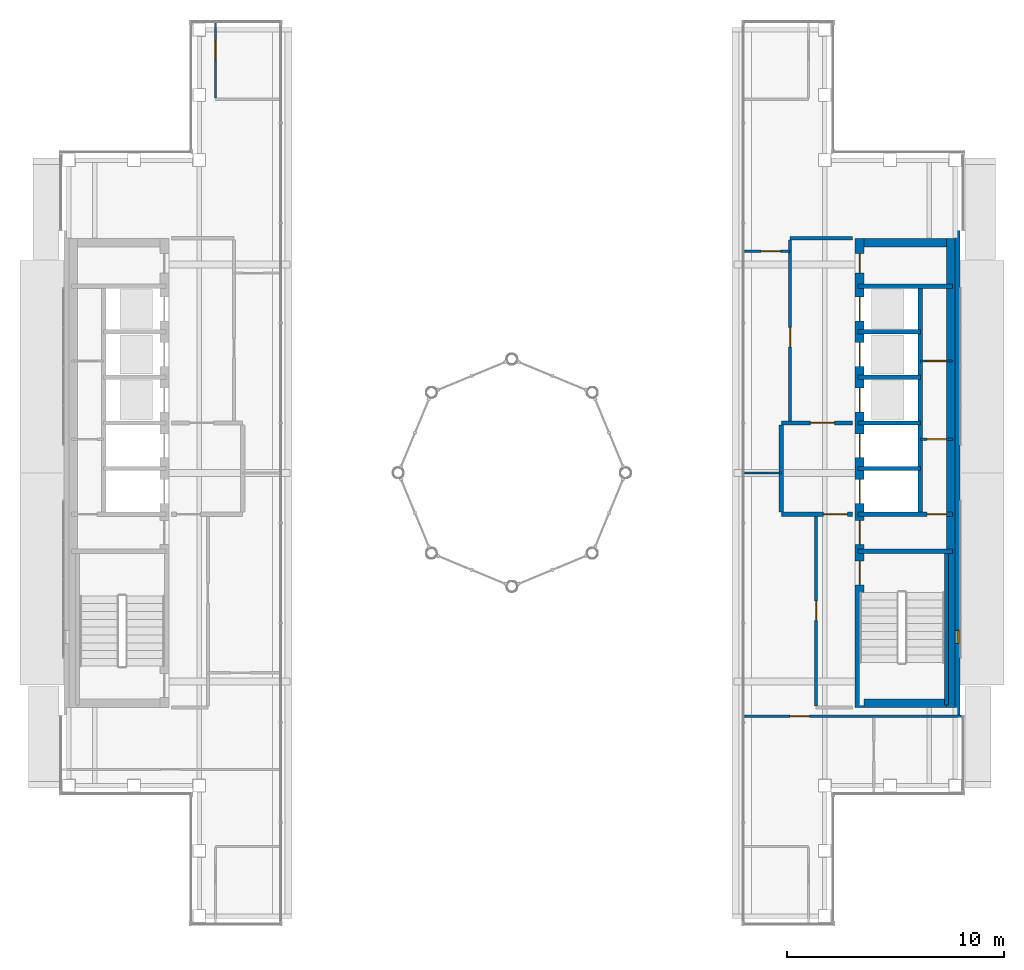
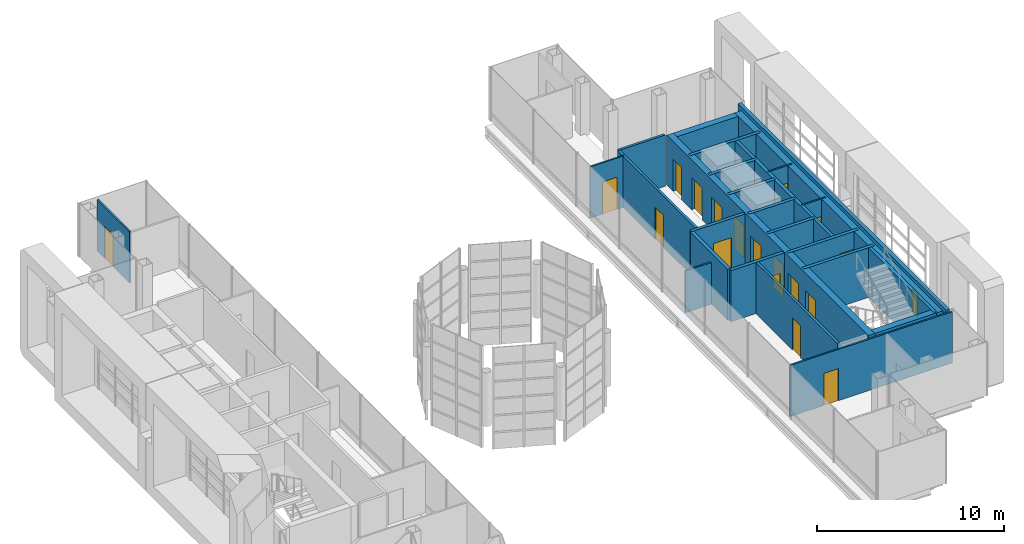
# One storey, part 14 of 21: 26 walls, 18 doors, 1 window, 19 openings.
"""IFC4 building model written with IfcOpenShell, lengths in metres."""

import ifcopenshell
import ifcopenshell.guid

model = None  # the IFC model being written
_history = None  # IfcOwnerHistory: only IFC2X3 demands one
_inside = {}  # id of a spatial element -> (the spatial element, [elements in it])
_under = {}  # id of a project, library or spatial element -> (it, [spatial elements below it])
_declared = {}  # id of a project -> (the project, [libraries it declares])
_typed = {}  # id of a type object -> (the type object, [elements of that type])
_made_of = {}  # id of a material, layer set ... -> (it, [elements and type objects made of it])


def new_model(schema):
    """Start an empty IFC model of exactly this schema.

    Asked for "IFC4X3", IfcOpenShell would pick the latest addendum, in which some entities
    have other attributes; the version numbers below select the first issue.
    IFC2X3 requires an IfcOwnerHistory on every rooted entity: one is made here for all.
    """
    global model, _history
    if schema == "IFC4X3":
        model = ifcopenshell.file(schema_version=(4, 3, 0, 0))
    else:
        model = ifcopenshell.file(schema=schema)
    _inside.clear()
    _under.clear()
    _declared.clear()
    _typed.clear()
    _made_of.clear()
    _history = None
    if model.schema == "IFC2X3":
        org = make("IfcOrganization", Name="unknown")
        user = make(
            "IfcPersonAndOrganization",
            ThePerson=make("IfcPerson", FamilyName="unknown"),
            TheOrganization=org,
        )
        app = make(
            "IfcApplication",
            ApplicationDeveloper=org,
            Version="unknown",
            ApplicationFullName="unknown",
            ApplicationIdentifier="unknown",
        )
        _history = make(
            "IfcOwnerHistory",
            OwningUser=user,
            OwningApplication=app,
            ChangeAction="ADDED",
            CreationDate=0,
        )
    return model


def make(cls, **values):
    """One entity of the class cls with the attributes given. An attribute that is None is left unset."""
    return model.create_entity(
        cls, **{name: value for name, value in values.items() if value is not None}
    )


def rooted(cls, **values):
    """An entity with a GlobalId (a new one), such as an element, a storey or a relation."""
    return make(cls, GlobalId=ifcopenshell.guid.new(), OwnerHistory=_history, **values)


def si_unit(unit_type, name, prefix=None):
    """IfcSIUnit, for example si_unit("LENGTHUNIT", "METRE", prefix="MILLI")."""
    return make("IfcSIUnit", UnitType=unit_type, Prefix=prefix, Name=name)


def assignment(units):
    """IfcUnitAssignment: the units of a project."""
    return None if units is None else make("IfcUnitAssignment", Units=units)


def point(xyz):
    """IfcCartesianPoint."""
    return None if xyz is None else make("IfcCartesianPoint", Coordinates=xyz)


def direction(xyz):
    """IfcDirection."""
    return None if xyz is None else make("IfcDirection", DirectionRatios=xyz)


def frame(location, z_axis=None, x_axis=None):
    """IfcAxis2Placement3D, a coordinate frame: its origin and axes. An axis left out is left unset."""
    return make(
        "IfcAxis2Placement3D",
        Location=point(location),
        Axis=direction(z_axis),
        RefDirection=direction(x_axis),
    )


def frame_2d(location, x_axis=None):
    """IfcAxis2Placement2D, a coordinate frame in the plane: its origin and x axis."""
    return make(
        "IfcAxis2Placement2D", Location=point(location), RefDirection=direction(x_axis)
    )


def origin():
    """The frame at (0, 0, 0) with its axes left unset."""
    return frame((0.0, 0.0, 0.0))


def place(relative_to, where):
    """IfcLocalPlacement: puts the frame where relative to a parent placement (None: the world)."""
    return make(
        "IfcLocalPlacement", PlacementRelTo=relative_to, RelativePlacement=where
    )


def context(
    kind, dimensions, precision=None, world=None, true_north=None, identifier=None
):
    """IfcGeometricRepresentationContext, for example the 3D "Model" context."""
    return make(
        "IfcGeometricRepresentationContext",
        ContextIdentifier=identifier,
        ContextType=kind,
        CoordinateSpaceDimension=dimensions,
        Precision=precision,
        WorldCoordinateSystem=world,
        TrueNorth=true_north,
    )


def subcontext(parent, identifier, kind, view, scale=None):
    """IfcGeometricRepresentationSubContext, for example "Body" below "Model"."""
    return make(
        "IfcGeometricRepresentationSubContext",
        ContextIdentifier=identifier,
        ContextType=kind,
        ParentContext=parent,
        TargetScale=scale,
        TargetView=view,
    )


def project(units=None, contexts=None):
    """IfcProject with its units and contexts."""
    return rooted(
        "IfcProject",
        Name="project",
        RepresentationContexts=contexts,
        UnitsInContext=assignment(units),
    )


def spatial(cls, under=None, at=None, **own):
    """A site, building, storey or space (cls), placed at a placement, below another one or the project."""
    s = rooted(cls, ObjectPlacement=at, **own)
    if under is not None:
        _under.setdefault(under.id(), (under, []))[1].append(s)
    return s


def profile(cls, at=None, kind="AREA", **sizes):
    """A parametric profile (cls). Its sizes go by their IFC names, for example OverallWidth=200.0."""
    return make(cls, ProfileType=kind, Position=at, **sizes)


def rectangle(**sizes):
    """IfcRectangleProfileDef."""
    return profile("IfcRectangleProfileDef", **sizes)


def extrude(swept, where, along, depth):
    """IfcExtrudedAreaSolid: the profile swept, set in the frame where, extruded along a direction by depth."""
    return make(
        "IfcExtrudedAreaSolid",
        SweptArea=swept,
        Position=where,
        ExtrudedDirection=direction(along),
        Depth=depth,
    )


def shape(context_of_items, identifier, shape_type, items):
    """IfcShapeRepresentation: the items that make up one representation, for example the "Body"."""
    return make(
        "IfcShapeRepresentation",
        ContextOfItems=context_of_items,
        RepresentationIdentifier=identifier,
        RepresentationType=shape_type,
        Items=items,
    )


def material(Name=None, Category=None):
    """IfcMaterial."""
    return make("IfcMaterial", Name=Name, Category=Category)


def layer(
    of_material, thickness, ventilated=None, Name=None, Category=None, Priority=None
):
    """IfcMaterialLayer: one layer of a wall or slab, of a material (None: an air gap)."""
    return make(
        "IfcMaterialLayer",
        Material=of_material,
        LayerThickness=thickness,
        IsVentilated=ventilated,
        Name=Name,
        Category=Category,
        Priority=Priority,
    )


def layer_set(layers, Name=None):
    """IfcMaterialLayerSet."""
    return make("IfcMaterialLayerSet", MaterialLayers=layers, LayerSetName=Name)


def made_of(thing, what):
    """Note that an element or type object is made of a material, layer set ...; save() writes the relation."""
    if what is not None:
        _made_of.setdefault(what.id(), (what, []))[1].append(thing)
    return thing


def type_object(cls, material=None, **own):
    """A type object (cls), such as IfcWallType, which elements share."""
    return made_of(rooted(cls, **own), material)


def element(
    cls,
    number,
    at=None,
    inside=None,
    cuts=None,
    type_object=None,
    material=None,
    context=None,
    identifier="Body",
    shape_type=None,
    held_by="IfcProductDefinitionShape",
    body=None,
    shapes=None,
    **own,
):
    """One element of the class cls, such as IfcWall. Its Tag is "e" and its number.

    at: its placement. inside: the storey or other place that contains it. cuts: it is an
    opening in that element (IfcRelVoidsElement). A single representation is given by context,
    identifier, shape_type and body (its items); several are given by shapes. held_by: the class
    of the entity that holds the representations. save() writes the other relations.
    """
    e = rooted(cls, Tag="e%d" % number, ObjectPlacement=at, **own)
    if body is not None:
        shapes = [shape(context, identifier, shape_type, body)]
    if shapes is not None:
        e.Representation = make(held_by, Representations=shapes)
    if inside is not None:
        _inside.setdefault(inside.id(), (inside, []))[1].append(e)
    if cuts is not None:
        rooted(
            "IfcRelVoidsElement", RelatingBuildingElement=cuts, RelatedOpeningElement=e
        )
    if type_object is not None:
        _typed.setdefault(type_object.id(), (type_object, []))[1].append(e)
    return made_of(e, material)


def fill(opening, filler):
    """IfcRelFillsElement: the door or window that sits in an opening."""
    return rooted(
        "IfcRelFillsElement",
        RelatingOpeningElement=opening,
        RelatedBuildingElement=filler,
    )


def aggregate(whole, parts):
    """IfcRelAggregates: a whole, such as a stair, and the parts it consists of."""
    return rooted("IfcRelAggregates", RelatingObject=whole, RelatedObjects=parts)


def save(model, path):
    """Write the relations noted so far, then the file.

    IfcRelAggregates (storeys below a building ...), IfcRelContainedInSpatialStructure (elements
    in a storey), IfcRelDefinesByType, IfcRelAssociatesMaterial and IfcRelDeclares: one each for
    every whole, place, type object, material and project.
    """
    for whole, parts in _under.values():
        aggregate(whole, parts)
    for where, things in _inside.values():
        rooted(
            "IfcRelContainedInSpatialStructure",
            RelatedElements=things,
            RelatingStructure=where,
        )
    for kind, things in _typed.values():
        rooted("IfcRelDefinesByType", RelatedObjects=things, RelatingType=kind)
    for what, things in _made_of.values():
        rooted("IfcRelAssociatesMaterial", RelatedObjects=things, RelatingMaterial=what)
    for by, libraries in _declared.values():
        rooted("IfcRelDeclares", RelatingContext=by, RelatedDefinitions=libraries)
    model.write(path)


model = new_model("IFC4")

# Units and contexts
model_context = context("Model", 3, precision=1e-05, world=origin(), true_north=direction((0.0, 1.0)))
body_context = subcontext(model_context, "Body", "Model", "MODEL_VIEW")
ifc_project = project(units=[si_unit("LENGTHUNIT", "METRE"), si_unit("AREAUNIT", "SQUARE_METRE"), si_unit("VOLUMEUNIT", "CUBIC_METRE"), si_unit("PLANEANGLEUNIT", "RADIAN"), si_unit("MASSUNIT", "GRAM", prefix="KILO")], contexts=[model_context])

# Site, building, storey
site_placement = place(None, origin())
site = spatial("IfcSite", under=ifc_project, at=site_placement, CompositionType="ELEMENT")
building_placement = place(site_placement, origin())
building = spatial("IfcBuilding", under=site, at=building_placement, Name="Cobrizo Arcos Hotel Tower", CompositionType="ELEMENT")
storey_placement = place(building_placement, frame((0.0, 0.0, 283.0)))
storey = spatial("IfcBuildingStorey", under=building, at=storey_placement, Name="L75", CompositionType="ELEMENT", Elevation=283.0)

# Wall
ifc_material_1 = material(Name="Gypsum board partition")
ifc_layer_1 = layer(ifc_material_1, 0.14990234375)
ifc_layer_set_1 = layer_set([ifc_layer_1], Name="Corridor wall EI 60 150")
wall_type_1 = type_object("IfcWallType", Name="Corridor wall EI 60 150", PredefinedType="PARTITIONING", material=ifc_layer_set_1)
wall_1_placement = place(storey_placement, frame((12.800048828125, 10.800048828125, 0.0), z_axis=(0.0, 0.0, 1.0), x_axis=(1.0, 0.0, 0.0)))
element("IfcWall", 1, at=wall_1_placement, inside=storey, type_object=wall_type_1, Name="Partition 035", PredefinedType="PARTITIONING", context=body_context, shape_type="SweptSolid", body=[
    extrude(rectangle(XDim=2.8798828125, YDim=0.14990234375, at=frame_2d((1.43994140625, 0.0))), origin(), (0.0, 0.0, 1.0), 3.35009765625),
])

# Wall, opening, door
wall_2_placement = place(storey_placement, frame((12.800048828125, 2.39990234375, 0.0), z_axis=(0.0, 0.0, 1.0), x_axis=(0.0, 1.0, 0.0)))
wall_2 = element("IfcWall", 2, at=wall_2_placement, inside=storey, type_object=wall_type_1, Name="Partition 046", PredefinedType="PARTITIONING", context=body_context, shape_type="SweptSolid", body=[
    extrude(rectangle(XDim=8.3251953125, YDim=0.14990234375, at=frame_2d((4.16259765625, 0.0))), origin(), (0.0, 0.0, 1.0), 3.35009765625),
])
opening_1_placement = place(wall_2_placement, frame((3.39990234375, 0.0, 0.0)))
opening_1 = element("IfcOpeningElement", 3, at=opening_1_placement, cuts=wall_2, Name="Opening RD-07", PredefinedType="OPENING", context=body_context, shape_type="SweptSolid", body=[
    extrude(rectangle(XDim=0.89990234375, YDim=2.10009765625, at=frame_2d((0.449951171875, 1.050048828125))), frame((0.0, 0.0869140625, 0.0), z_axis=(0.0, -1.0, 0.0), x_axis=(1.0, 0.0, 0.0)), (0.0, 0.0, 1.0), 0.173828125),
])
ifc_material_2 = material(Name="Timber door leaf", Category="wood")
door_type_1 = type_object("IfcDoorType", Name="Room door FD30 900x2100", OperationType="SINGLE_SWING_LEFT", PredefinedType="DOOR", material=ifc_material_2)
door_1_placement = place(opening_1_placement, origin())
door_1 = element("IfcDoor", 4, at=door_1_placement, inside=storey, type_object=door_type_1, Name="Door RD-07", OperationType="SINGLE_SWING_RIGHT", OverallHeight=2.10009765625, OverallWidth=0.89990234375, PredefinedType="DOOR", context=body_context, shape_type="SweptSolid", body=[
    extrude(rectangle(XDim=0.89990234375, YDim=2.10009765625, at=frame_2d((0.449951171875, 1.050048828125))), frame((0.0, 0.02490234375, 0.0), z_axis=(0.0, -1.0, 0.0), x_axis=(1.0, 0.0, 0.0)), (0.0, 0.0, 1.0), 0.050048828125),
])
fill(opening_1, door_1)

wall_3_placement = place(storey_placement, frame((14.0, -10.72509765625, 0.0), z_axis=(0.0, 0.0, 1.0), x_axis=(0.0, 1.0, 0.0)))
wall_3 = element("IfcWall", 5, at=wall_3_placement, inside=storey, type_object=wall_type_1, Name="Partition 049", PredefinedType="PARTITIONING", context=body_context, shape_type="SweptSolid", body=[
    extrude(rectangle(XDim=8.72509765625, YDim=0.14990234375, at=frame_2d((4.362548828125, 0.0))), origin(), (0.0, 0.0, 1.0), 3.35009765625),
])
opening_2_placement = place(wall_3_placement, frame((3.925048828125, 0.0, 0.0)))
opening_2 = element("IfcOpeningElement", 6, at=opening_2_placement, cuts=wall_3, Name="Opening RD-09", PredefinedType="OPENING", context=body_context, shape_type="SweptSolid", body=[
    extrude(rectangle(XDim=0.89990234375, YDim=2.10009765625, at=frame_2d((0.449951171875, 1.050048828125))), frame((0.0, 0.0869140625, 0.0), z_axis=(0.0, -1.0, 0.0), x_axis=(1.0, 0.0, 0.0)), (0.0, 0.0, 1.0), 0.173828125),
])
door_2_placement = place(opening_2_placement, origin())
door_2 = element("IfcDoor", 7, at=door_2_placement, inside=storey, type_object=door_type_1, Name="Door RD-09", OperationType="SINGLE_SWING_RIGHT", OverallHeight=2.10009765625, OverallWidth=0.89990234375, PredefinedType="DOOR", context=body_context, shape_type="SweptSolid", body=[
    extrude(rectangle(XDim=0.89990234375, YDim=2.10009765625, at=frame_2d((0.449951171875, 1.050048828125))), frame((0.0, 0.02490234375, 0.0), z_axis=(0.0, -1.0, 0.0), x_axis=(1.0, 0.0, 0.0)), (0.0, 0.0, 1.0), 0.050048828125),
])
fill(opening_2, door_2)

# Wall, opening, window
ifc_material_3 = material(Name="Aluminium composite panel pale metal", Category="aluminium")
ifc_layer_2 = layer(ifc_material_3, 0.22509765625)
ifc_layer_set_2 = layer_set([ifc_layer_2], Name="EW-1 insulated panel wall 225")
wall_type_2 = type_object("IfcWallType", Name="EW-1 insulated panel wall 225", PredefinedType="SOLIDWALL", material=ifc_layer_set_2)
wall_4_placement = place(storey_placement, frame((20.512451171875, -11.14990234375, 0.0), z_axis=(0.0, 0.0, 1.0), x_axis=(0.0, 1.0, 0.0)))
wall_4 = element("IfcWall", 8, at=wall_4_placement, inside=storey, type_object=wall_type_2, Name="Core face wall L75 E", PredefinedType="SOLIDWALL", context=body_context, shape_type="SweptSolid", body=[
    extrude(rectangle(XDim=22.2998046875, YDim=0.22509765625, at=frame_2d((11.14990234375, 0.0))), origin(), (0.0, 0.0, 1.0), 3.5),
])
opening_3_placement = place(wall_4_placement, frame((3.300048828125, 0.0, 1.0)))
opening_3 = element("IfcOpeningElement", 9, at=opening_3_placement, cuts=wall_4, Name="Opening W-169", PredefinedType="OPENING", context=body_context, shape_type="SweptSolid", body=[
    extrude(rectangle(XDim=0.60009765625, YDim=1.5, at=frame_2d((0.300048828125, 0.75))), frame((0.0, 0.12451171875, 0.0), z_axis=(0.0, -1.0, 0.0), x_axis=(1.0, 0.0, 0.0)), (0.0, 0.0, 1.0), 0.2490234375),
])
ifc_material_4 = material(Name="Aluminium 6063-T6 and clear laminated glass", Category="aluminium")
window_type = type_object("IfcWindowType", Name="W-C1 core stair slot window 600x1500", PartitioningType="SINGLE_PANEL", PredefinedType="WINDOW", material=ifc_material_4)
window_placement = place(opening_3_placement, origin())
window = element("IfcWindow", 10, at=window_placement, inside=storey, type_object=window_type, Name="Core face wall L75 E window W-169", OverallHeight=1.5, OverallWidth=0.60009765625, PartitioningType="SINGLE_PANEL", PredefinedType="WINDOW", context=body_context, shape_type="SweptSolid", body=[
    extrude(rectangle(XDim=0.60009765625, YDim=1.5, at=frame_2d((0.300048828125, 0.75))), frame((0.0, -0.0224609375, 0.0), z_axis=(0.0, -1.0, 0.0), x_axis=(1.0, 0.0, 0.0)), (0.0, 0.0, 1.0), 0.06005859375),
])
fill(opening_3, window)

# Wall, opening, door
ifc_layer_3 = layer(ifc_material_1, 0.10009765625)
ifc_layer_set_3 = layer_set([ifc_layer_3], Name="Partition EI 30 100")
wall_type_3 = type_object("IfcWallType", Name="Partition EI 30 100", PredefinedType="PARTITIONING", material=ifc_layer_set_3)
wall_5_placement = place(storey_placement, frame((10.696044921875, -11.199951171875, 0.0), z_axis=(0.0, 0.0, 1.0), x_axis=(1.0, 0.0, 0.0)))
wall_5 = element("IfcWall", 11, at=wall_5_placement, inside=storey, type_object=wall_type_3, Name="Partition 004", PredefinedType="PARTITIONING", context=body_context, shape_type="SweptSolid", body=[
    extrude(rectangle(XDim=10.033935546875, YDim=0.10009765625, at=frame_2d((5.01708984375, 0.0))), origin(), (0.0, 0.0, 1.0), 3.35009765625),
])
opening_4_placement = place(wall_5_placement, frame((2.092041015625, 0.0, 0.0)))
opening_4 = element("IfcOpeningElement", 12, at=opening_4_placement, cuts=wall_5, Name="Opening RD-10", PredefinedType="OPENING", context=body_context, shape_type="SweptSolid", body=[
    extrude(rectangle(XDim=0.89990234375, YDim=2.10009765625, at=frame_2d((0.449951171875, 1.050048828125))), frame((0.0, 0.06201171875, 0.0), z_axis=(0.0, -1.0, 0.0), x_axis=(1.0, 0.0, 0.0)), (0.0, 0.0, 1.0), 0.1240234375),
])
door_3_placement = place(opening_4_placement, origin())
door_3 = element("IfcDoor", 13, at=door_3_placement, inside=storey, type_object=door_type_1, Name="Door RD-10", OperationType="SINGLE_SWING_LEFT", OverallHeight=2.10009765625, OverallWidth=0.89990234375, PredefinedType="DOOR", context=body_context, shape_type="SweptSolid", body=[
    extrude(rectangle(XDim=0.89990234375, YDim=2.10009765625, at=frame_2d((0.449951171875, 1.050048828125))), frame((0.0, 0.02490234375, 0.0), z_axis=(0.0, -1.0, 0.0), x_axis=(1.0, 0.0, 0.0)), (0.0, 0.0, 1.0), 0.050048828125),
])
fill(opening_4, door_3)

# Wall
wall_6_placement = place(storey_placement, frame((10.696044921875, 0.0, 0.0), z_axis=(0.0, 0.0, 1.0), x_axis=(1.0, 0.0, 0.0)))
element("IfcWall", 14, at=wall_6_placement, inside=storey, type_object=wall_type_3, Name="Partition 015", PredefinedType="PARTITIONING", context=body_context, shape_type="SweptSolid", body=[
    extrude(rectangle(XDim=1.703857421875, YDim=0.10009765625, at=frame_2d((0.85205078125, 0.0))), origin(), (0.0, 0.0, 1.0), 2.72802734375),
])

# Wall, opening, door
wall_7_placement = place(storey_placement, frame((18.800048828125, 1.550048828125, 0.0), z_axis=(0.0, 0.0, 1.0), x_axis=(1.0, 0.0, 0.0)))
wall_7 = element("IfcWall", 15, at=wall_7_placement, inside=storey, type_object=wall_type_3, Name="Partition 019", PredefinedType="PARTITIONING", context=body_context, shape_type="SweptSolid", body=[
    extrude(rectangle(XDim=1.47998046875, YDim=0.10009765625, at=frame_2d((0.739990234375, 0.0))), origin(), (0.0, 0.0, 1.0), 3.25),
])
opening_5_placement = place(wall_7_placement, frame((0.300048828125, 0.0, 0.0)))
opening_5 = element("IfcOpeningElement", 16, at=opening_5_placement, cuts=wall_7, Name="Opening RD-05", PredefinedType="OPENING", context=body_context, shape_type="SweptSolid", body=[
    extrude(rectangle(XDim=0.89990234375, YDim=2.10009765625, at=frame_2d((0.449951171875, 1.050048828125))), frame((0.0, 0.06201171875, 0.0), z_axis=(0.0, -1.0, 0.0), x_axis=(1.0, 0.0, 0.0)), (0.0, 0.0, 1.0), 0.1240234375),
])
door_4_placement = place(opening_5_placement, origin())
door_4 = element("IfcDoor", 17, at=door_4_placement, inside=storey, type_object=door_type_1, Name="Door RD-05", OperationType="SINGLE_SWING_RIGHT", OverallHeight=2.10009765625, OverallWidth=0.89990234375, PredefinedType="DOOR", context=body_context, shape_type="SweptSolid", body=[
    extrude(rectangle(XDim=0.89990234375, YDim=2.10009765625, at=frame_2d((0.449951171875, 1.050048828125))), frame((0.0, 0.02490234375, 0.0), z_axis=(0.0, -1.0, 0.0), x_axis=(1.0, 0.0, 0.0)), (0.0, 0.0, 1.0), 0.050048828125),
])
fill(opening_5, door_4)

wall_8_placement = place(storey_placement, frame((18.800048828125, 5.14990234375, 0.0), z_axis=(0.0, 0.0, 1.0), x_axis=(1.0, 0.0, 0.0)))
wall_8 = element("IfcWall", 18, at=wall_8_placement, inside=storey, type_object=wall_type_3, Name="Partition 027", PredefinedType="PARTITIONING", context=body_context, shape_type="SweptSolid", body=[
    extrude(rectangle(XDim=1.47998046875, YDim=0.10009765625, at=frame_2d((0.739990234375, 0.0))), origin(), (0.0, 0.0, 1.0), 3.25),
])
opening_6_placement = place(wall_8_placement, frame((0.300048828125, 0.0, 0.0)))
opening_6 = element("IfcOpeningElement", 19, at=opening_6_placement, cuts=wall_8, Name="Opening RD-06", PredefinedType="OPENING", context=body_context, shape_type="SweptSolid", body=[
    extrude(rectangle(XDim=0.89990234375, YDim=2.10009765625, at=frame_2d((0.449951171875, 1.050048828125))), frame((0.0, 0.06201171875, 0.0), z_axis=(0.0, -1.0, 0.0), x_axis=(1.0, 0.0, 0.0)), (0.0, 0.0, 1.0), 0.1240234375),
])
door_5_placement = place(opening_6_placement, origin())
door_5 = element("IfcDoor", 20, at=door_5_placement, inside=storey, type_object=door_type_1, Name="Door RD-06", OperationType="SINGLE_SWING_RIGHT", OverallHeight=2.10009765625, OverallWidth=0.89990234375, PredefinedType="DOOR", context=body_context, shape_type="SweptSolid", body=[
    extrude(rectangle(XDim=0.89990234375, YDim=2.10009765625, at=frame_2d((0.449951171875, 1.050048828125))), frame((0.0, 0.02490234375, 0.0), z_axis=(0.0, -1.0, 0.0), x_axis=(1.0, 0.0, 0.0)), (0.0, 0.0, 1.0), 0.050048828125),
])
fill(opening_6, door_5)

wall_9_placement = place(storey_placement, frame((10.696044921875, 10.199951171875, 0.0), z_axis=(0.0, 0.0, 1.0), x_axis=(1.0, 0.0, 0.0)))
wall_9 = element("IfcWall", 21, at=wall_9_placement, inside=storey, type_object=wall_type_3, Name="Partition 033", PredefinedType="PARTITIONING", context=body_context, shape_type="SweptSolid", body=[
    extrude(rectangle(XDim=2.10400390625, YDim=0.10009765625, at=frame_2d((1.052001953125, 0.0))), origin(), (0.0, 0.0, 1.0), 3.35009765625),
])
opening_7_placement = place(wall_9_placement, frame((0.76708984375, 0.0, 0.0)))
opening_7 = element("IfcOpeningElement", 22, at=opening_7_placement, cuts=wall_9, Name="Opening RD-08", PredefinedType="OPENING", context=body_context, shape_type="SweptSolid", body=[
    extrude(rectangle(XDim=0.89990234375, YDim=2.10009765625, at=frame_2d((0.449951171875, 1.050048828125))), frame((0.0, 0.06201171875, 0.0), z_axis=(0.0, -1.0, 0.0), x_axis=(1.0, 0.0, 0.0)), (0.0, 0.0, 1.0), 0.1240234375),
])
door_6_placement = place(opening_7_placement, origin())
door_6 = element("IfcDoor", 23, at=door_6_placement, inside=storey, type_object=door_type_1, Name="Door RD-08", OperationType="SINGLE_SWING_LEFT", OverallHeight=2.10009765625, OverallWidth=0.89990234375, PredefinedType="DOOR", context=body_context, shape_type="SweptSolid", body=[
    extrude(rectangle(XDim=0.89990234375, YDim=2.10009765625, at=frame_2d((0.449951171875, 1.050048828125))), frame((0.0, 0.02490234375, 0.0), z_axis=(0.0, -1.0, 0.0), x_axis=(1.0, 0.0, 0.0)), (0.0, 0.0, 1.0), 0.050048828125),
])
fill(opening_7, door_6)

wall_10_placement = place(storey_placement, frame((-13.64990234375, 17.25, 0.0), z_axis=(0.0, 0.0, 1.0), x_axis=(0.0, 1.0, 0.0)))
wall_10 = element("IfcWall", 24, at=wall_10_placement, inside=storey, type_object=wall_type_3, Name="Partition 042", PredefinedType="PARTITIONING", context=body_context, shape_type="SweptSolid", body=[
    extrude(rectangle(XDim=3.47998046875, YDim=0.10009765625, at=frame_2d((1.739990234375, 0.0))), origin(), (0.0, 0.0, 1.0), 3.35009765625),
])
opening_8_placement = place(wall_10_placement, frame((1.739990234375, 0.0, 0.0)))
opening_8 = element("IfcOpeningElement", 25, at=opening_8_placement, cuts=wall_10, Name="Opening ED-05", PredefinedType="OPENING", context=body_context, shape_type="SweptSolid", body=[
    extrude(rectangle(XDim=0.89990234375, YDim=2.10009765625, at=frame_2d((0.449951171875, 1.050048828125))), frame((0.0, 0.06201171875, 0.0), z_axis=(0.0, -1.0, 0.0), x_axis=(1.0, 0.0, 0.0)), (0.0, 0.0, 1.0), 0.1240234375),
])
door_type_2 = type_object("IfcDoorType", Name="En-suite door 900x2100", OperationType="SINGLE_SWING_LEFT", PredefinedType="DOOR", material=ifc_material_2)
door_7_placement = place(opening_8_placement, origin())
door_7 = element("IfcDoor", 26, at=door_7_placement, inside=storey, type_object=door_type_2, Name="Door ED-05", OperationType="SINGLE_SWING_RIGHT", OverallHeight=2.10009765625, OverallWidth=0.89990234375, PredefinedType="DOOR", context=body_context, shape_type="SweptSolid", body=[
    extrude(rectangle(XDim=0.89990234375, YDim=2.10009765625, at=frame_2d((0.449951171875, 1.050048828125))), frame((0.0, 0.02490234375, 0.0), z_axis=(0.0, -1.0, 0.0), x_axis=(1.0, 0.0, 0.0)), (0.0, 0.0, 1.0), 0.050048828125),
])
fill(opening_8, door_7)

# Wall, openings, doors
ifc_material_5 = material(Name="Concrete f'c 40 MPa", Category="concrete")
ifc_layer_4 = layer(ifc_material_5, 0.39990234375)
ifc_layer_set_4 = layer_set([ifc_layer_4], Name="RC core wall 400 f'c 40")
wall_type_4 = type_object("IfcWallType", Name="RC core wall 400 f'c 40", PredefinedType="SHEAR", material=ifc_layer_set_4)
wall_11_placement = place(storey_placement, frame((16.0, -10.800048828125, 0.0), z_axis=(0.0, 0.0, 1.0), x_axis=(0.0, 1.0, 0.0)))
wall_11 = element("IfcWall", 27, at=wall_11_placement, inside=storey, type_object=wall_type_4, Name="Core wall CW4, east core, inner face, L75", PredefinedType="SHEAR", context=body_context, shape_type="SweptSolid", body=[
    extrude(rectangle(XDim=21.60009765625, YDim=0.39990234375, at=frame_2d((10.800048828125, 0.0))), origin(), (0.0, 0.0, 1.0), 3.25),
])
opening_9_placement = place(wall_11_placement, frame((9.39990234375, 0.0, 0.0)))
opening_9 = element("IfcOpeningElement", 28, at=opening_9_placement, cuts=wall_11, Name="Opening LD-06", PredefinedType="OPENING", context=body_context, shape_type="SweptSolid", body=[
    extrude(rectangle(XDim=1.10009765625, YDim=2.10009765625, at=frame_2d((0.550048828125, 1.050048828125))), frame((0.0, 0.2119140625, 0.0), z_axis=(0.0, -1.0, 0.0), x_axis=(1.0, 0.0, 0.0)), (0.0, 0.0, 1.0), 0.423828125),
])
opening_10_placement = place(wall_11_placement, frame((11.5, 0.0, 0.0)))
opening_10 = element("IfcOpeningElement", 29, at=opening_10_placement, cuts=wall_11, Name="Opening LD-07", PredefinedType="OPENING", context=body_context, shape_type="SweptSolid", body=[
    extrude(rectangle(XDim=1.10009765625, YDim=2.10009765625, at=frame_2d((0.550048828125, 1.050048828125))), frame((0.0, 0.2119140625, 0.0), z_axis=(0.0, -1.0, 0.0), x_axis=(1.0, 0.0, 0.0)), (0.0, 0.0, 1.0), 0.423828125),
])
opening_11_placement = place(wall_11_placement, frame((13.60009765625, 0.0, 0.0)))
opening_11 = element("IfcOpeningElement", 30, at=opening_11_placement, cuts=wall_11, Name="Opening LD-08", PredefinedType="OPENING", context=body_context, shape_type="SweptSolid", body=[
    extrude(rectangle(XDim=1.10009765625, YDim=2.10009765625, at=frame_2d((0.550048828125, 1.050048828125))), frame((0.0, 0.2119140625, 0.0), z_axis=(0.0, -1.0, 0.0), x_axis=(1.0, 0.0, 0.0)), (0.0, 0.0, 1.0), 0.423828125),
])
opening_12_placement = place(wall_11_placement, frame((15.699951171875, 0.0, 0.0)))
opening_12 = element("IfcOpeningElement", 31, at=opening_12_placement, cuts=wall_11, Name="Opening LD-09", PredefinedType="OPENING", context=body_context, shape_type="SweptSolid", body=[
    extrude(rectangle(XDim=1.10009765625, YDim=2.10009765625, at=frame_2d((0.550048828125, 1.050048828125))), frame((0.0, 0.2119140625, 0.0), z_axis=(0.0, -1.0, 0.0), x_axis=(1.0, 0.0, 0.0)), (0.0, 0.0, 1.0), 0.423828125),
])
opening_13_placement = place(wall_11_placement, frame((17.800048828125, 0.0, 0.0)))
opening_13 = element("IfcOpeningElement", 32, at=opening_13_placement, cuts=wall_11, Name="Opening LD-10", PredefinedType="OPENING", context=body_context, shape_type="SweptSolid", body=[
    extrude(rectangle(XDim=1.10009765625, YDim=2.10009765625, at=frame_2d((0.550048828125, 1.050048828125))), frame((0.0, 0.2119140625, 0.0), z_axis=(0.0, -1.0, 0.0), x_axis=(1.0, 0.0, 0.0)), (0.0, 0.0, 1.0), 0.423828125),
])
opening_14_placement = place(wall_11_placement, frame((5.64208984375, 0.0, 0.0)))
opening_14 = element("IfcOpeningElement", 33, at=opening_14_placement, cuts=wall_11, Name="Opening SD-02", PredefinedType="OPENING", context=body_context, shape_type="SweptSolid", body=[
    extrude(rectangle(XDim=1.10009765625, YDim=2.10009765625, at=frame_2d((0.550048828125, 1.050048828125))), frame((0.0, 0.2119140625, 0.0), z_axis=(0.0, -1.0, 0.0), x_axis=(1.0, 0.0, 0.0)), (0.0, 0.0, 1.0), 0.423828125),
])
opening_15_placement = place(wall_11_placement, frame((7.5, 0.0, 0.0)))
opening_15 = element("IfcOpeningElement", 34, at=opening_15_placement, cuts=wall_11, Name="Opening FD-04", PredefinedType="OPENING", context=body_context, shape_type="SweptSolid", body=[
    extrude(rectangle(XDim=1.10009765625, YDim=2.10009765625, at=frame_2d((0.550048828125, 1.050048828125))), frame((0.0, 0.2119140625, 0.0), z_axis=(0.0, -1.0, 0.0), x_axis=(1.0, 0.0, 0.0)), (0.0, 0.0, 1.0), 0.423828125),
])
opening_16_placement = place(wall_11_placement, frame((20.0, 0.0, 0.0)))
opening_16 = element("IfcOpeningElement", 35, at=opening_16_placement, cuts=wall_11, Name="Opening ED-02", PredefinedType="OPENING", context=body_context, shape_type="SweptSolid", body=[
    extrude(rectangle(XDim=0.89990234375, YDim=2.10009765625, at=frame_2d((0.449951171875, 1.050048828125))), frame((0.0, 0.2119140625, 0.0), z_axis=(0.0, -1.0, 0.0), x_axis=(1.0, 0.0, 0.0)), (0.0, 0.0, 1.0), 0.423828125),
])
door_8_placement = place(opening_16_placement, origin())
door_8 = element("IfcDoor", 36, at=door_8_placement, inside=storey, type_object=door_type_2, Name="Door ED-02", OperationType="SINGLE_SWING_LEFT", OverallHeight=2.10009765625, OverallWidth=0.89990234375, PredefinedType="DOOR", context=body_context, shape_type="SweptSolid", body=[
    extrude(rectangle(XDim=0.89990234375, YDim=2.10009765625, at=frame_2d((0.449951171875, 1.050048828125))), frame((0.0, 0.02490234375, 0.0), z_axis=(0.0, -1.0, 0.0), x_axis=(1.0, 0.0, 0.0)), (0.0, 0.0, 1.0), 0.050048828125),
])
fill(opening_16, door_8)
ifc_material_6 = material(Name="Steel door leaf", Category="steel")
door_type_3 = type_object("IfcDoorType", Name="Fire door FD60 1100x2100", OperationType="SINGLE_SWING_LEFT", PredefinedType="DOOR", material=ifc_material_6)
door_9_placement = place(opening_15_placement, origin())
door_9 = element("IfcDoor", 37, at=door_9_placement, inside=storey, type_object=door_type_3, Name="Door FD-04", OperationType="SINGLE_SWING_LEFT", OverallHeight=2.10009765625, OverallWidth=1.10009765625, PredefinedType="DOOR", context=body_context, shape_type="SweptSolid", body=[
    extrude(rectangle(XDim=1.10009765625, YDim=2.10009765625, at=frame_2d((0.550048828125, 1.050048828125))), frame((0.0, 0.02490234375, 0.0), z_axis=(0.0, -1.0, 0.0), x_axis=(1.0, 0.0, 0.0)), (0.0, 0.0, 1.0), 0.050048828125),
])
fill(opening_15, door_9)
door_type_4 = type_object("IfcDoorType", Name="Lift landing door 1100x2100", OperationType="SLIDING_TO_LEFT", PredefinedType="DOOR", material=ifc_material_6)
door_10_placement = place(opening_9_placement, origin())
door_10 = element("IfcDoor", 38, at=door_10_placement, inside=storey, type_object=door_type_4, Name="Lift landing door LD-06", OperationType="SLIDING_TO_LEFT", OverallHeight=2.10009765625, OverallWidth=1.10009765625, PredefinedType="DOOR", context=body_context, shape_type="SweptSolid", body=[
    extrude(rectangle(XDim=1.10009765625, YDim=2.10009765625, at=frame_2d((0.550048828125, 1.050048828125))), frame((0.0, 0.02490234375, 0.0), z_axis=(0.0, -1.0, 0.0), x_axis=(1.0, 0.0, 0.0)), (0.0, 0.0, 1.0), 0.050048828125),
])
fill(opening_9, door_10)
door_11_placement = place(opening_10_placement, origin())
door_11 = element("IfcDoor", 39, at=door_11_placement, inside=storey, type_object=door_type_4, Name="Lift landing door LD-07", OperationType="SLIDING_TO_LEFT", OverallHeight=2.10009765625, OverallWidth=1.10009765625, PredefinedType="DOOR", context=body_context, shape_type="SweptSolid", body=[
    extrude(rectangle(XDim=1.10009765625, YDim=2.10009765625, at=frame_2d((0.550048828125, 1.050048828125))), frame((0.0, 0.02490234375, 0.0), z_axis=(0.0, -1.0, 0.0), x_axis=(1.0, 0.0, 0.0)), (0.0, 0.0, 1.0), 0.050048828125),
])
fill(opening_10, door_11)
door_12_placement = place(opening_11_placement, origin())
door_12 = element("IfcDoor", 40, at=door_12_placement, inside=storey, type_object=door_type_4, Name="Lift landing door LD-08", OperationType="SLIDING_TO_LEFT", OverallHeight=2.10009765625, OverallWidth=1.10009765625, PredefinedType="DOOR", context=body_context, shape_type="SweptSolid", body=[
    extrude(rectangle(XDim=1.10009765625, YDim=2.10009765625, at=frame_2d((0.550048828125, 1.050048828125))), frame((0.0, 0.02490234375, 0.0), z_axis=(0.0, -1.0, 0.0), x_axis=(1.0, 0.0, 0.0)), (0.0, 0.0, 1.0), 0.050048828125),
])
fill(opening_11, door_12)
door_13_placement = place(opening_12_placement, origin())
door_13 = element("IfcDoor", 41, at=door_13_placement, inside=storey, type_object=door_type_4, Name="Lift landing door LD-09", OperationType="SLIDING_TO_LEFT", OverallHeight=2.10009765625, OverallWidth=1.10009765625, PredefinedType="DOOR", context=body_context, shape_type="SweptSolid", body=[
    extrude(rectangle(XDim=1.10009765625, YDim=2.10009765625, at=frame_2d((0.550048828125, 1.050048828125))), frame((0.0, 0.02490234375, 0.0), z_axis=(0.0, -1.0, 0.0), x_axis=(1.0, 0.0, 0.0)), (0.0, 0.0, 1.0), 0.050048828125),
])
fill(opening_12, door_13)
door_14_placement = place(opening_13_placement, origin())
door_14 = element("IfcDoor", 42, at=door_14_placement, inside=storey, type_object=door_type_4, Name="Lift landing door LD-10", OperationType="SLIDING_TO_LEFT", OverallHeight=2.10009765625, OverallWidth=1.10009765625, PredefinedType="DOOR", context=body_context, shape_type="SweptSolid", body=[
    extrude(rectangle(XDim=1.10009765625, YDim=2.10009765625, at=frame_2d((0.550048828125, 1.050048828125))), frame((0.0, 0.02490234375, 0.0), z_axis=(0.0, -1.0, 0.0), x_axis=(1.0, 0.0, 0.0)), (0.0, 0.0, 1.0), 0.050048828125),
])
fill(opening_13, door_14)
door_type_5 = type_object("IfcDoorType", Name="Stair door FD60S 1100x2100", OperationType="SINGLE_SWING_LEFT", PredefinedType="DOOR", material=ifc_material_6)
door_15_placement = place(opening_14_placement, origin())
door_15 = element("IfcDoor", 43, at=door_15_placement, inside=storey, type_object=door_type_5, Name="Door SD-02", OperationType="SINGLE_SWING_LEFT", OverallHeight=2.10009765625, OverallWidth=1.10009765625, PredefinedType="DOOR", context=body_context, shape_type="SweptSolid", body=[
    extrude(rectangle(XDim=1.10009765625, YDim=2.10009765625, at=frame_2d((0.550048828125, 1.050048828125))), frame((0.0, 0.02490234375, 0.0), z_axis=(0.0, -1.0, 0.0), x_axis=(1.0, 0.0, 0.0)), (0.0, 0.0, 1.0), 0.050048828125),
])
fill(opening_14, door_15)

# Walls
wall_12_placement = place(storey_placement, frame((20.199951171875, -10.800048828125, 0.0), z_axis=(0.0, 0.0, 1.0), x_axis=(0.0, 1.0, 0.0)))
element("IfcWall", 44, at=wall_12_placement, inside=storey, type_object=wall_type_4, Name="Core wall CW4, east core, outer face, L75", PredefinedType="SHEAR", context=body_context, shape_type="SweptSolid", body=[
    extrude(rectangle(XDim=21.60009765625, YDim=0.39990234375, at=frame_2d((10.800048828125, 0.0))), origin(), (0.0, 0.0, 1.0), 3.25),
])
for number, where, z_axis, x_axis, name in (
    (45, (16.199951171875, 10.60009765625, 0.0), (0.0, 0.0, 1.0), (1.0, 0.0, 0.0), "Core wall CW4, east core, north end, L75"),
    (46, (16.199951171875, -10.60009765625, 0.0), (0.0, 0.0, 1.0), (1.0, 0.0, 0.0), "Core wall CW4, east core, south end, L75"),
):
    element("IfcWall", number, at=place(storey_placement, frame(where, z_axis=z_axis, x_axis=x_axis)), inside=storey, type_object=wall_type_4, Name=name, PredefinedType="SHEAR", context=body_context, shape_type="SweptSolid", body=[
        extrude(rectangle(XDim=3.800048828125, YDim=0.39990234375, at=frame_2d((1.89990234375, 0.0))), origin(), (0.0, 0.0, 1.0), 3.25),
    ])

# Wall, opening, door
ifc_layer_5 = layer(ifc_material_1, 0.199951171875)
ifc_layer_set_5 = layer_set([ifc_layer_5], Name="Shaft wall EI 120 200")
wall_type_5 = type_object("IfcWallType", Name="Shaft wall EI 120 200", PredefinedType="PARTITIONING", material=ifc_layer_set_5)
wall_13_placement = place(storey_placement, frame((12.39990234375, -1.89990234375, 0.0), z_axis=(0.0, 0.0, 1.0), x_axis=(1.0, 0.0, 0.0)))
wall_13 = element("IfcWall", 47, at=wall_13_placement, inside=storey, type_object=wall_type_5, Name="Partition 012", PredefinedType="PARTITIONING", context=body_context, shape_type="SweptSolid", body=[
    extrude(rectangle(XDim=3.280029296875, YDim=0.199951171875, at=frame_2d((1.64013671875, 0.0))), origin(), (0.0, 0.0, 1.0), 3.35009765625),
])
opening_17_placement = place(wall_13_placement, frame((1.93994140625, 0.0, 0.0)))
opening_17 = element("IfcOpeningElement", 48, at=opening_17_placement, cuts=wall_13, Name="Opening FD-06", PredefinedType="OPENING", context=body_context, shape_type="SweptSolid", body=[
    extrude(rectangle(XDim=1.10009765625, YDim=2.10009765625, at=frame_2d((0.550048828125, 1.050048828125))), frame((0.0, 0.112060546875, 0.0), z_axis=(0.0, -1.0, 0.0), x_axis=(1.0, 0.0, 0.0)), (0.0, 0.0, 1.0), 0.223876953125),
])
door_16_placement = place(opening_17_placement, origin())
door_16 = element("IfcDoor", 49, at=door_16_placement, inside=storey, type_object=door_type_3, Name="Door FD-06", OperationType="SINGLE_SWING_RIGHT", OverallHeight=2.10009765625, OverallWidth=1.10009765625, PredefinedType="DOOR", context=body_context, shape_type="SweptSolid", body=[
    extrude(rectangle(XDim=1.10009765625, YDim=2.10009765625, at=frame_2d((0.550048828125, 1.050048828125))), frame((0.0, 0.02490234375, 0.0), z_axis=(0.0, -1.0, 0.0), x_axis=(1.0, 0.0, 0.0)), (0.0, 0.0, 1.0), 0.050048828125),
])
fill(opening_17, door_16)

wall_14_placement = place(storey_placement, frame((15.919921875, -1.89990234375, 0.0), z_axis=(0.0, 0.0, 1.0), x_axis=(1.0, 0.0, 0.0)))
wall_14 = element("IfcWall", 50, at=wall_14_placement, inside=storey, type_object=wall_type_5, Name="Partition 013", PredefinedType="PARTITIONING", context=body_context, shape_type="SweptSolid", body=[
    extrude(rectangle(XDim=4.360107421875, YDim=0.199951171875, at=frame_2d((2.18017578125, 0.0))), origin(), (0.0, 0.0, 1.0), 3.25),
])
opening_18_placement = place(wall_14_placement, frame((3.179931640625, 0.0, 0.0)))
opening_18 = element("IfcOpeningElement", 51, at=opening_18_placement, cuts=wall_14, Name="Opening RD-04", PredefinedType="OPENING", context=body_context, shape_type="SweptSolid", body=[
    extrude(rectangle(XDim=0.89990234375, YDim=2.10009765625, at=frame_2d((0.449951171875, 1.050048828125))), frame((0.0, 0.112060546875, 0.0), z_axis=(0.0, -1.0, 0.0), x_axis=(1.0, 0.0, 0.0)), (0.0, 0.0, 1.0), 0.223876953125),
])
door_17_placement = place(opening_18_placement, origin())
door_17 = element("IfcDoor", 52, at=door_17_placement, inside=storey, type_object=door_type_1, Name="Door RD-04", OperationType="SINGLE_SWING_LEFT", OverallHeight=2.10009765625, OverallWidth=0.89990234375, PredefinedType="DOOR", context=body_context, shape_type="SweptSolid", body=[
    extrude(rectangle(XDim=0.89990234375, YDim=2.10009765625, at=frame_2d((0.449951171875, 1.050048828125))), frame((0.0, 0.02490234375, 0.0), z_axis=(0.0, -1.0, 0.0), x_axis=(1.0, 0.0, 0.0)), (0.0, 0.0, 1.0), 0.050048828125),
])
fill(opening_18, door_17)

# Wall
wall_15_placement = place(storey_placement, frame((15.919921875, 0.199951171875, 0.0), z_axis=(0.0, 0.0, 1.0), x_axis=(1.0, 0.0, 0.0)))
element("IfcWall", 53, at=wall_15_placement, inside=storey, type_object=wall_type_5, Name="Partition 017", PredefinedType="PARTITIONING", context=body_context, shape_type="SweptSolid", body=[
    extrude(rectangle(XDim=2.880126953125, YDim=0.199951171875, at=frame_2d((1.43994140625, 0.0))), origin(), (0.0, 0.0, 1.0), 3.25),
])

# Wall, opening, door
wall_16_placement = place(storey_placement, frame((12.39990234375, 2.300048828125, 0.0), z_axis=(0.0, 0.0, 1.0), x_axis=(1.0, 0.0, 0.0)))
wall_16 = element("IfcWall", 54, at=wall_16_placement, inside=storey, type_object=wall_type_5, Name="Partition 022", PredefinedType="PARTITIONING", context=body_context, shape_type="SweptSolid", body=[
    extrude(rectangle(XDim=3.280029296875, YDim=0.199951171875, at=frame_2d((1.64013671875, 0.0))), origin(), (0.0, 0.0, 1.0), 3.35009765625),
])
opening_19_placement = place(wall_16_placement, frame((1.340087890625, 0.0, 0.0)))
opening_19 = element("IfcOpeningElement", 55, at=opening_19_placement, cuts=wall_16, Name="Opening FD-05", PredefinedType="OPENING", context=body_context, shape_type="SweptSolid", body=[
    extrude(rectangle(XDim=1.10009765625, YDim=2.10009765625, at=frame_2d((0.550048828125, 1.050048828125))), frame((0.0, 0.112060546875, 0.0), z_axis=(0.0, -1.0, 0.0), x_axis=(1.0, 0.0, 0.0)), (0.0, 0.0, 1.0), 0.223876953125),
])
door_18_placement = place(opening_19_placement, origin())
door_18 = element("IfcDoor", 56, at=door_18_placement, inside=storey, type_object=door_type_3, Name="Door FD-05", OperationType="SINGLE_SWING_RIGHT", OverallHeight=2.10009765625, OverallWidth=1.10009765625, PredefinedType="DOOR", context=body_context, shape_type="SweptSolid", body=[
    extrude(rectangle(XDim=1.10009765625, YDim=2.10009765625, at=frame_2d((0.550048828125, 1.050048828125))), frame((0.0, 0.02490234375, 0.0), z_axis=(0.0, -1.0, 0.0), x_axis=(1.0, 0.0, 0.0)), (0.0, 0.0, 1.0), 0.050048828125),
])
fill(opening_19, door_18)

# Walls
for number, where, z_axis, x_axis, name in (
    (57, (15.919921875, 2.300048828125, 0.0), (0.0, 0.0, 1.0), (1.0, 0.0, 0.0), "Partition 023"),
    (58, (15.919921875, 4.39990234375, 0.0), (0.0, 0.0, 1.0), (1.0, 0.0, 0.0), "Partition 025"),
    (59, (15.919921875, 6.5, 0.0), (0.0, 0.0, 1.0), (1.0, 0.0, 0.0), "Partition 029"),
):
    element("IfcWall", number, at=place(storey_placement, frame(where, z_axis=z_axis, x_axis=x_axis)), inside=storey, type_object=wall_type_5, Name=name, PredefinedType="PARTITIONING", context=body_context, shape_type="SweptSolid", body=[
        extrude(rectangle(XDim=2.880126953125, YDim=0.199951171875, at=frame_2d((1.43994140625, 0.0))), origin(), (0.0, 0.0, 1.0), 3.25),
    ])
wall_17_placement = place(storey_placement, frame((15.919921875, 8.60009765625, 0.0), z_axis=(0.0, 0.0, 1.0), x_axis=(1.0, 0.0, 0.0)))
element("IfcWall", 60, at=wall_17_placement, inside=storey, type_object=wall_type_5, Name="Partition 031", PredefinedType="PARTITIONING", context=body_context, shape_type="SweptSolid", body=[
    extrude(rectangle(XDim=4.360107421875, YDim=0.199951171875, at=frame_2d((2.18017578125, 0.0))), origin(), (0.0, 0.0, 1.0), 3.25),
])
wall_18_placement = place(storey_placement, frame((12.39990234375, -1.800048828125, 0.0), z_axis=(0.0, 0.0, 1.0), x_axis=(0.0, 1.0, 0.0)))
element("IfcWall", 61, at=wall_18_placement, inside=storey, type_object=wall_type_5, Name="Partition 045", PredefinedType="PARTITIONING", context=body_context, shape_type="SweptSolid", body=[
    extrude(rectangle(XDim=4.0, YDim=0.199951171875, at=frame_2d((2.0, 0.0))), origin(), (0.0, 0.0, 1.0), 3.35009765625),
])
wall_19_placement = place(storey_placement, frame((18.800048828125, -1.800048828125, 0.0), z_axis=(0.0, 0.0, 1.0), x_axis=(0.0, 1.0, 0.0)))
element("IfcWall", 62, at=wall_19_placement, inside=storey, type_object=wall_type_5, Name="Partition 051", PredefinedType="PARTITIONING", context=body_context, shape_type="SweptSolid", body=[
    extrude(rectangle(XDim=10.300048828125, YDim=0.199951171875, at=frame_2d((5.14990234375, 0.0))), origin(), (0.0, 0.0, 1.0), 3.25),
])
ifc_layer_6 = layer(ifc_material_5, 0.199951171875)
ifc_layer_set_6 = layer_set([ifc_layer_6], Name="Stair shaft wall 200")
wall_type_6 = type_object("IfcWallType", Name="Stair shaft wall 200", PredefinedType="SHEAR", material=ifc_layer_set_6)
wall_20_placement = place(storey_placement, frame((15.919921875, -3.60009765625, 0.0), z_axis=(0.0, 0.0, 1.0), x_axis=(1.0, 0.0, 0.0)))
element("IfcWall", 63, at=wall_20_placement, inside=storey, type_object=wall_type_6, Name="Stair shaft wall E", PredefinedType="SHEAR", context=body_context, shape_type="SweptSolid", body=[
    extrude(rectangle(XDim=4.360107421875, YDim=0.199951171875, at=frame_2d((2.18017578125, 0.0))), origin(), (0.0, 0.0, 1.0), 3.25),
])
wall_21_placement = place(storey_placement, frame((20.0, -10.679931640625, 0.0), z_axis=(0.0, 0.0, 1.0), x_axis=(0.0, 1.0, 0.0)))
element("IfcWall", 64, at=wall_21_placement, inside=storey, type_object=wall_type_6, Name="Stair shaft wall E", PredefinedType="SHEAR", context=body_context, shape_type="SweptSolid", body=[
    extrude(rectangle(XDim=6.97998046875, YDim=0.199951171875, at=frame_2d((3.489990234375, 0.0))), origin(), (0.0, 0.0, 1.0), 3.25),
])

save(model, "model.ifc")
